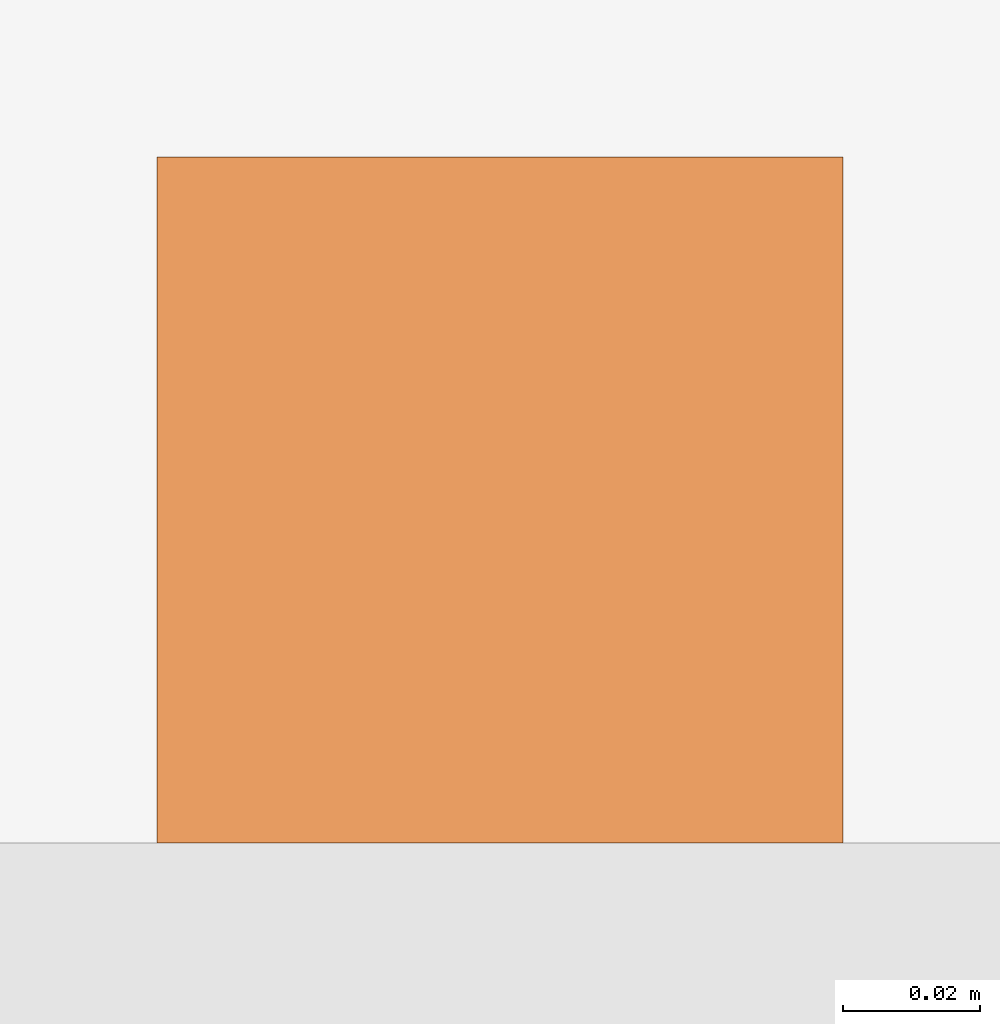
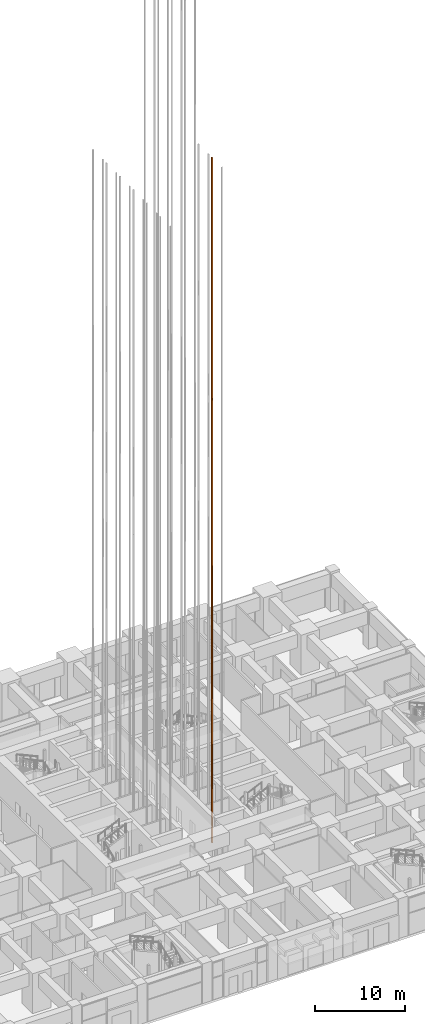
# One storey, part 63 of 81: 1 proxy.
"""IFC4 building model written with IfcOpenShell, lengths in metres."""

from ifc_helpers import new_model, si_unit, direction, frame, origin, origin_2d, place, context, subcontext, project, spatial, rectangle, extrude, material, type_object, element, save


model = new_model("IFC4")

# Units and contexts
model_context = context("Model", 3, precision=1e-05, world=origin(), true_north=direction((0.0, 1.0)))
body_context = subcontext(model_context, "Body", "Model", "MODEL_VIEW")
ifc_project = project(units=[si_unit("LENGTHUNIT", "METRE"), si_unit("AREAUNIT", "SQUARE_METRE"), si_unit("VOLUMEUNIT", "CUBIC_METRE"), si_unit("PLANEANGLEUNIT", "RADIAN"), si_unit("MASSUNIT", "GRAM", prefix="KILO")], contexts=[model_context])

# Site, building, storey
site_placement = place(None, origin())
site = spatial("IfcSite", under=ifc_project, at=site_placement, CompositionType="ELEMENT")
building_placement = place(site_placement, origin())
building = spatial("IfcBuilding", under=site, at=building_placement, Name="Rekha Terrace Tower", CompositionType="ELEMENT")
storey_placement = place(building_placement, origin())
storey = spatial("IfcBuildingStorey", under=building, at=storey_placement, Name="L00", CompositionType="ELEMENT", Elevation=0.0)

# Proxy
ifc_material = material(Name="Steel guide rail", Category="steel")
building_element_proxy_type = type_object("IfcBuildingElementProxyType", Name="LR1 100 lift guide rail", PredefinedType="ELEMENT", material=ifc_material)
proxy_placement = place(storey_placement, frame((41.14990234375, 26.0, 0.0), z_axis=(0.0, 0.0, 1.0), x_axis=(1.0, 0.0, 0.0)))
element("IfcBuildingElementProxy", 1, at=proxy_placement, inside=storey, type_object=building_element_proxy_type, Name="Lift SH1 guide rail 2", PredefinedType="ELEMENT", context=body_context, shape_type="SweptSolid", body=[
    extrude(rectangle(XDim=0.10009765625, YDim=0.10009765625, at=origin_2d()), origin(), (0.0, 0.0, 1.0), 93.199951171875),
])

save(model, "model.ifc")
